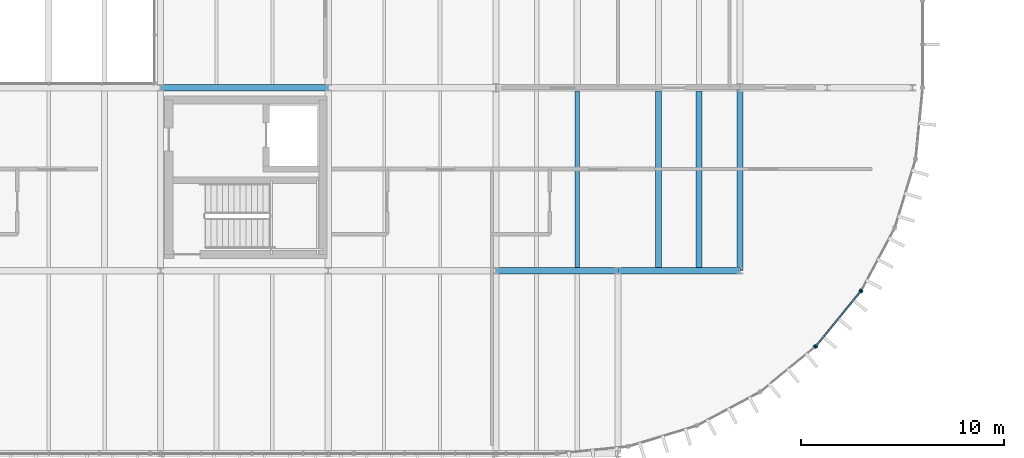
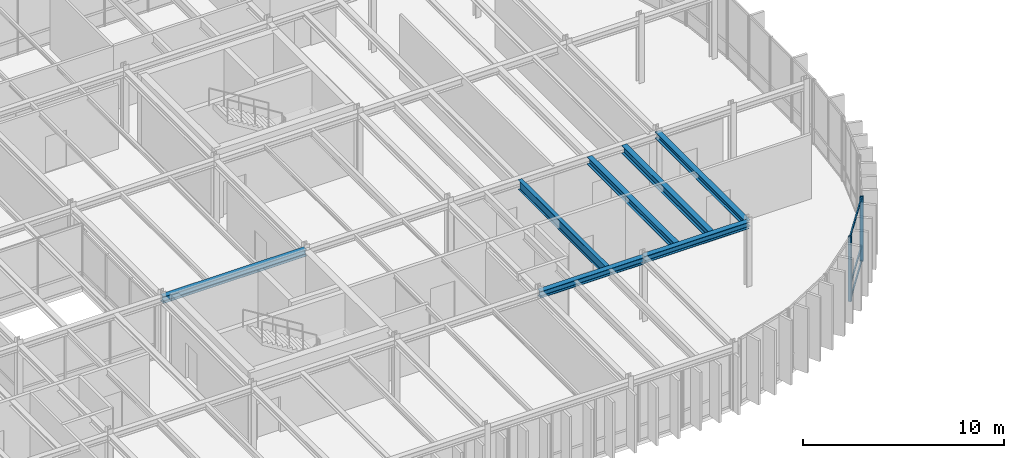
# One storey, part 10 of 27: 7 beams, 7 members, 3 elements without a shape of their own.
"""IFC4 building model written with IfcOpenShell, lengths in metres."""

from ifc_helpers import new_model, si_unit, direction, frame, origin, origin_2d, place, context, subcontext, project, spatial, rectangle, i_section, extrude, material, layer, layer_set, material_profile, profile_set, type_object, element, aggregate, save


model = new_model("IFC4")

# Units and contexts
model_context = context("Model", 3, precision=1e-05, world=origin(), true_north=direction((0.0, 1.0)))
body_context = subcontext(model_context, "Body", "Model", "MODEL_VIEW")
ifc_project = project(units=[si_unit("LENGTHUNIT", "METRE"), si_unit("AREAUNIT", "SQUARE_METRE"), si_unit("VOLUMEUNIT", "CUBIC_METRE"), si_unit("PLANEANGLEUNIT", "RADIAN"), si_unit("MASSUNIT", "GRAM", prefix="KILO")], contexts=[model_context])

# Site, building, storey
site_placement = place(None, origin())
site = spatial("IfcSite", under=ifc_project, at=site_placement, CompositionType="ELEMENT")
building_placement = place(site_placement, origin())
building = spatial("IfcBuilding", under=site, at=building_placement, Name="Montealbar Specialist Clinic", CompositionType="ELEMENT")
storey_placement = place(building_placement, frame((0.0, 0.0, 18.0)))
storey = spatial("IfcBuildingStorey", under=building, at=storey_placement, Name="L04", CompositionType="ELEMENT", Elevation=18.0)

# Beams
ifc_material_1 = material(Name="Steel S355", Category="steel")
ifc_material_profile_1 = material_profile(ifc_material_1, i_section(OverallWidth=0.300048828125, OverallDepth=0.39990234375, WebThickness=0.013427734375, FlangeThickness=0.02392578125, FilletRadius=0.027099609375, at=origin_2d()), Name="HEB 400", Category="steel")
ifc_profile_set_1 = profile_set([ifc_material_profile_1], Name="Steel S355")
beam_type_1 = type_object("IfcBeamType", Name="BM-GIRD-HEB400", PredefinedType="BEAM", material=ifc_profile_set_1)
beam_1_placement = place(storey_placement, frame((82.5, 18.0, 3.68994140625), z_axis=(1.0, 0.0, 0.0), x_axis=(0.0, 1.0, 0.0)))
element("IfcBeam", 1, at=beam_1_placement, inside=storey, type_object=beam_type_1, Name="Beam GX-L04-825-908-180", PredefinedType="BEAM", context=body_context, shape_type="SweptSolid", body=[
    extrude(i_section(OverallWidth=0.300048828125, OverallDepth=0.39990234375, WebThickness=0.013427734375, FlangeThickness=0.02392578125, FilletRadius=0.027099609375, at=origin_2d()), origin(), (0.0, 0.0, 1.0), 8.25),
])
ifc_material_profile_2 = material_profile(ifc_material_1, i_section(OverallWidth=0.300048828125, OverallDepth=0.39990234375, WebThickness=0.013427734375, FlangeThickness=0.02392578125, FilletRadius=0.027099609375, at=origin_2d()), Name="HEB 400", Category="steel")
ifc_profile_set_2 = profile_set([ifc_material_profile_2], Name="Steel S355")
beam_type_2 = type_object("IfcBeamType", Name="BM-GIRD-HEB400-EXT", PredefinedType="BEAM", material=ifc_profile_set_2)
for number, where, z_axis, x_axis, name in (
    (2, (99.0, 9.0, 3.68994140625), (1.0, 0.0, 0.0), (0.0, 1.0, 0.0), "Beam GX-L04-990-1050-90"),
    (3, (105.0, 9.0, 3.72998046875), (1.0, 0.0, 0.0), (0.0, 1.0, 0.0), "Beam GX-L04-1050-1110-90"),
):
    element("IfcBeam", number, at=place(storey_placement, frame(where, z_axis=z_axis, x_axis=x_axis)), inside=storey, type_object=beam_type_2, Name=name, PredefinedType="BEAM", context=body_context, shape_type="SweptSolid", body=[
        extrude(i_section(OverallWidth=0.300048828125, OverallDepth=0.39990234375, WebThickness=0.013427734375, FlangeThickness=0.02392578125, FilletRadius=0.027099609375, at=origin_2d()), origin(), (0.0, 0.0, 1.0), 6.0),
    ])
beam_2_placement = place(storey_placement, frame((111.0, 9.0, 3.72998046875), z_axis=(0.0, 1.0, 0.0), x_axis=(-1.0, 0.0, 0.0)))
element("IfcBeam", 4, at=beam_2_placement, inside=storey, type_object=beam_type_2, Name="Beam GY-L04-1110-90-180", PredefinedType="BEAM", context=body_context, shape_type="SweptSolid", body=[
    extrude(i_section(OverallWidth=0.300048828125, OverallDepth=0.39990234375, WebThickness=0.013427734375, FlangeThickness=0.02392578125, FilletRadius=0.027099609375, at=origin_2d()), origin(), (0.0, 0.0, 1.0), 9.0),
])
ifc_material_profile_3 = material_profile(ifc_material_1, i_section(OverallWidth=0.300048828125, OverallDepth=0.43994140625, WebThickness=0.011474609375, FlangeThickness=0.02099609375, FilletRadius=0.027099609375, at=origin_2d()), Name="HEA 450", Category="steel")
ifc_profile_set_3 = profile_set([ifc_material_profile_3], Name="Steel S355")
beam_type_3 = type_object("IfcBeamType", Name="BM-JST-HEA450", PredefinedType="JOIST", material=ifc_profile_set_3)
beam_3_placement = place(storey_placement, frame((107.0, 9.14990234375, 3.669921875), z_axis=(0.0, 1.0, 0.0), x_axis=(-1.0, 0.0, 0.0)))
element("IfcBeam", 5, at=beam_3_placement, inside=storey, type_object=beam_type_3, Name="Beam JST-L04-1070-92-178", PredefinedType="JOIST", context=body_context, shape_type="SweptSolid", body=[
    extrude(i_section(OverallWidth=0.300048828125, OverallDepth=0.43994140625, WebThickness=0.011474609375, FlangeThickness=0.02099609375, FilletRadius=0.027099609375, at=origin_2d()), origin(), (0.0, 0.0, 1.0), 8.7001953125),
])
ifc_material_profile_4 = material_profile(ifc_material_1, i_section(OverallWidth=0.300048828125, OverallDepth=0.489990234375, WebThickness=0.011962890625, FlangeThickness=0.02294921875, FilletRadius=0.027099609375, at=origin_2d()), Name="HEA 500", Category="steel")
ifc_profile_set_4 = profile_set([ifc_material_profile_4], Name="Steel S355")
beam_type_4 = type_object("IfcBeamType", Name="BM-JST-HEA500", PredefinedType="JOIST", material=ifc_profile_set_4)
beam_4_placement = place(storey_placement, frame((109.0, 9.14990234375, 3.64501953125), z_axis=(0.0, 1.0, 0.0), x_axis=(-1.0, 0.0, 0.0)))
element("IfcBeam", 6, at=beam_4_placement, inside=storey, type_object=beam_type_4, Name="Beam JST-L04-1090-92-178", PredefinedType="JOIST", context=body_context, shape_type="SweptSolid", body=[
    extrude(i_section(OverallWidth=0.300048828125, OverallDepth=0.489990234375, WebThickness=0.011962890625, FlangeThickness=0.02294921875, FilletRadius=0.027099609375, at=origin_2d()), origin(), (0.0, 0.0, 1.0), 8.7001953125),
])
ifc_material_profile_5 = material_profile(ifc_material_1, i_section(OverallWidth=0.219970703125, OverallDepth=0.60009765625, WebThickness=0.011962890625, FlangeThickness=0.01904296875, FilletRadius=0.02392578125, at=origin_2d()), Name="IPE 600", Category="steel")
ifc_profile_set_5 = profile_set([ifc_material_profile_5], Name="Steel S355")
beam_type_5 = type_object("IfcBeamType", Name="BM-JST-IPE600", PredefinedType="JOIST", material=ifc_profile_set_5)
beam_5_placement = place(storey_placement, frame((103.0, 9.14990234375, 3.590087890625), z_axis=(0.0, 1.0, 0.0), x_axis=(-1.0, 0.0, 0.0)))
element("IfcBeam", 7, at=beam_5_placement, inside=storey, type_object=beam_type_5, Name="Beam JST-L04-1030-92-178", PredefinedType="JOIST", context=body_context, shape_type="SweptSolid", body=[
    extrude(i_section(OverallWidth=0.219970703125, OverallDepth=0.60009765625, WebThickness=0.011962890625, FlangeThickness=0.01904296875, FilletRadius=0.02392578125, at=origin_2d()), origin(), (0.0, 0.0, 1.0), 8.7001953125),
])

# Curtain wall, member
ifc_material_2 = material(Name="Low-E double glazing", Category="glass")
ifc_layer = layer(ifc_material_2, 0.199951171875, Name="Low-E double glazing", Category="glass")
ifc_layer_set = layer_set([ifc_layer], Name="Low-E double glazing")
curtain_wall_type = type_object("IfcCurtainWallType", Name="CW-TYPE-29", PredefinedType="NOTDEFINED", material=ifc_layer_set)
curtain_wall_1_placement = place(storey_placement, origin())
curtain_wall_1 = element("IfcCurtainWall", 8, at=curtain_wall_1_placement, inside=storey, type_object=curtain_wall_type, Name="Unitised Curtain Wall CW-L04-1186-111-1170-80-180", PredefinedType="NOTDEFINED")
ifc_material_3 = material(Name="Anodised aluminium EN AW-6063", Category="aluminium")
ifc_material_profile_6 = material_profile(ifc_material_3, rectangle(XDim=0.070068359375, YDim=0.179931640625, at=origin_2d()), Name="ALU 70x180", Category="aluminium")
ifc_profile_set_6 = profile_set([ifc_material_profile_6], Name="Anodised aluminium EN AW-6063")
member_type_1 = type_object("IfcMemberType", Name="CW-MUL-200", PredefinedType="MULLION", material=ifc_profile_set_6)
member_1_placement = place(storey_placement, frame((116.985107421875, 8.034912109375, 0.0), z_axis=(0.0, 0.0, 1.0), x_axis=(-0.471529268958, -0.881850411644, 0.0)))
member_1 = element("IfcMember", 9, at=member_1_placement, type_object=member_type_1, Name="Curtain Wall Mullion CW-L04-1186-111-1170-80-180-01", PredefinedType="MULLION", context=body_context, shape_type="SweptSolid", body=[
    extrude(rectangle(XDim=0.070068359375, YDim=0.179931640625, at=origin_2d()), origin(), (0.0, 0.0, 1.0), 3.919921875),
])
aggregate(curtain_wall_1, [member_1])

# Curtain wall, members
curtain_wall_2_placement = place(storey_placement, origin())
curtain_wall_2 = element("IfcCurtainWall", 10, at=curtain_wall_2_placement, inside=storey, type_object=curtain_wall_type, Name="Unitised Curtain Wall CW-L04-1170-80-1147-53-180", PredefinedType="NOTDEFINED")
member_2_placement = place(storey_placement, frame((116.94091796875, 7.968994140625, 0.0), z_axis=(0.0, 0.0, 1.0), x_axis=(-0.634255808922, -0.773123255923, 0.0)))
member_2 = element("IfcMember", 11, at=member_2_placement, type_object=member_type_1, Name="Curtain Wall Mullion CW-L04-1170-80-1147-53-180-00", PredefinedType="MULLION", context=body_context, shape_type="SweptSolid", body=[
    extrude(rectangle(XDim=0.070068359375, YDim=0.179931640625, at=origin_2d()), origin(), (0.0, 0.0, 1.0), 3.919921875),
])
member_3_placement = place(storey_placement, frame((114.7529296875, 5.302978515625, 0.0), z_axis=(0.0, 0.0, 1.0), x_axis=(-0.634255808922, -0.773123255923, 0.0)))
member_3 = element("IfcMember", 12, at=member_3_placement, type_object=member_type_1, Name="Curtain Wall Mullion CW-L04-1170-80-1147-53-180-01", PredefinedType="MULLION", context=body_context, shape_type="SweptSolid", body=[
    extrude(rectangle(XDim=0.070068359375, YDim=0.179931640625, at=origin_2d()), origin(), (0.0, 0.0, 1.0), 3.919921875),
])

# Curtain wall, member
curtain_wall_3_placement = place(storey_placement, origin())
curtain_wall_3 = element("IfcCurtainWall", 13, at=curtain_wall_3_placement, inside=storey, type_object=curtain_wall_type, Name="Unitised Curtain Wall CW-L04-1147-53-1120-30-180", PredefinedType="NOTDEFINED")
member_4_placement = place(storey_placement, frame((114.697021484375, 5.2470703125, 0.0), z_axis=(0.0, 0.0, 1.0), x_axis=(-0.773123255923, -0.634255808922, 0.0)))
member_4 = element("IfcMember", 14, at=member_4_placement, type_object=member_type_1, Name="Curtain Wall Mullion CW-L04-1147-53-1120-30-180-00", PredefinedType="MULLION", context=body_context, shape_type="SweptSolid", body=[
    extrude(rectangle(XDim=0.070068359375, YDim=0.179931640625, at=origin_2d()), origin(), (0.0, 0.0, 1.0), 3.919921875),
])
aggregate(curtain_wall_3, [member_4])

# Member
ifc_material_4 = material(Name="Powder-coated aluminium", Category="aluminium")
ifc_material_profile_7 = material_profile(ifc_material_4, rectangle(XDim=0.070068359375, YDim=0.139892578125, at=origin_2d()), Name="ALU 70x140", Category="aluminium")
ifc_profile_set_7 = profile_set([ifc_material_profile_7], Name="Powder-coated aluminium")
member_type_2 = type_object("IfcMemberType", Name="CW-TRN-140", PredefinedType="USERDEFINED", material=ifc_profile_set_7)
member_5_placement = place(storey_placement, frame((116.93408203125, 7.9609375, 0.0400390625), z_axis=(-0.634280591441, -0.773102924144, 0.0), x_axis=(0.773102924144, -0.634280591441, 0.0)))
member_5 = element("IfcMember", 15, at=member_5_placement, type_object=member_type_2, Name="Curtain Wall Transom CW-L04-1170-80-1147-53-180-00", ObjectType="TRANSOM", PredefinedType="USERDEFINED", context=body_context, shape_type="SweptSolid", body=[
    extrude(rectangle(XDim=0.070068359375, YDim=0.139892578125, at=origin_2d()), origin(), (0.0, 0.0, 1.0), 3.427734375),
])

member_6_placement = place(storey_placement, frame((116.93408203125, 7.9609375, 0.949951171875), z_axis=(-0.634280591441, -0.773102924144, 0.0), x_axis=(0.773102924144, -0.634280591441, 0.0)))
member_6 = element("IfcMember", 16, at=member_6_placement, type_object=member_type_2, Name="Curtain Wall Transom CW-L04-1170-80-1147-53-180-01", ObjectType="TRANSOM", PredefinedType="USERDEFINED", context=body_context, shape_type="SweptSolid", body=[
    extrude(rectangle(XDim=0.070068359375, YDim=0.139892578125, at=origin_2d()), origin(), (0.0, 0.0, 1.0), 3.427734375),
])

member_7_placement = place(storey_placement, frame((116.93408203125, 7.9609375, 3.8798828125), z_axis=(-0.634280591441, -0.773102924144, 0.0), x_axis=(0.773102924144, -0.634280591441, 0.0)))
member_7 = element("IfcMember", 17, at=member_7_placement, type_object=member_type_2, Name="Curtain Wall Transom CW-L04-1170-80-1147-53-180-02", ObjectType="TRANSOM", PredefinedType="USERDEFINED", context=body_context, shape_type="SweptSolid", body=[
    extrude(rectangle(XDim=0.070068359375, YDim=0.139892578125, at=origin_2d()), origin(), (0.0, 0.0, 1.0), 3.427734375),
])

aggregate(curtain_wall_2, [member_2, member_3, member_5, member_6, member_7])

save(model, "model.ifc")
